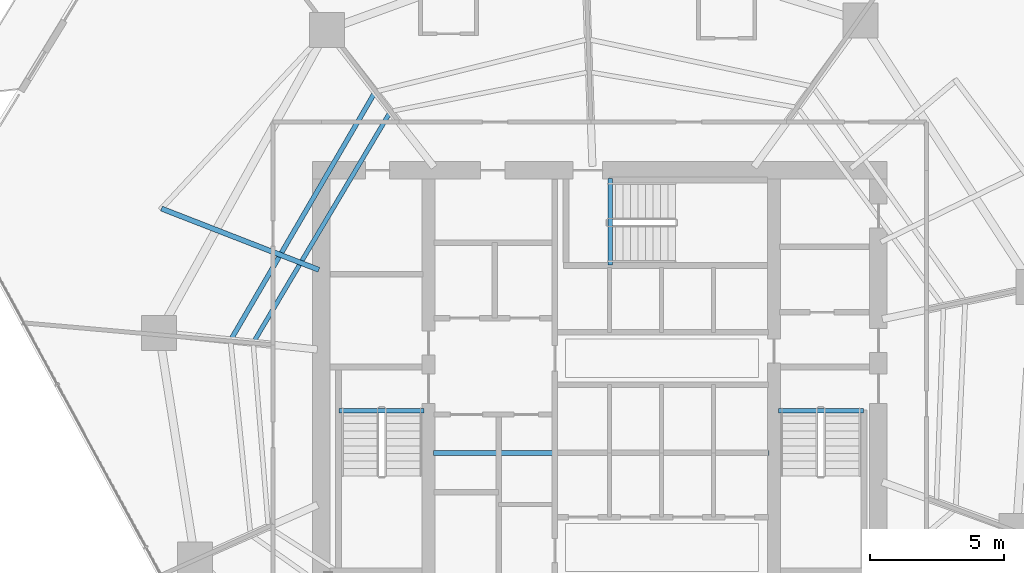
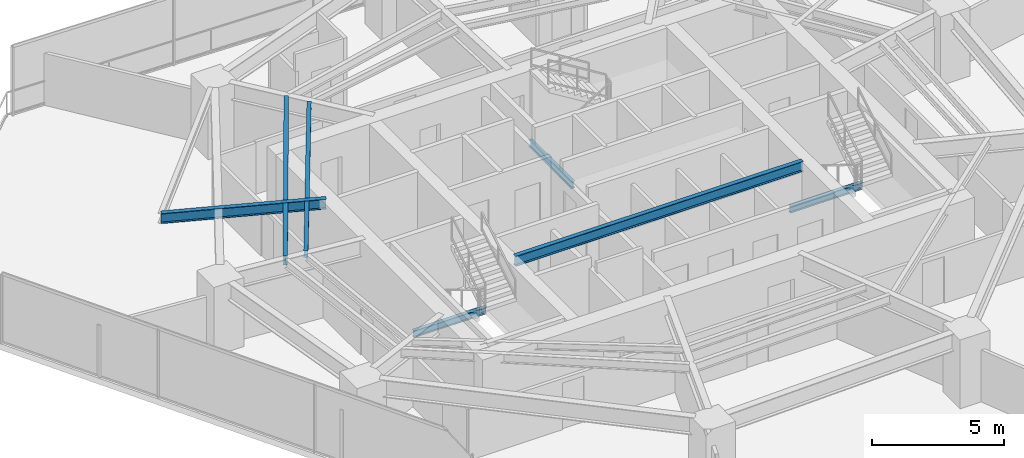
# One storey, part 10 of 30: 7 beams.
"""IFC4 building model written with IfcOpenShell, lengths in metres."""

from ifc_helpers import new_model, si_unit, direction, frame, origin, origin_2d, place, context, subcontext, project, spatial, i_section, extrude, material, material_profile, profile_set, type_object, element, save


model = new_model("IFC4")

# Units and contexts
model_context = context("Model", 3, precision=1e-05, world=origin(), true_north=direction((0.0, 1.0)))
body_context = subcontext(model_context, "Body", "Model", "MODEL_VIEW")
ifc_project = project(units=[si_unit("LENGTHUNIT", "METRE"), si_unit("AREAUNIT", "SQUARE_METRE"), si_unit("VOLUMEUNIT", "CUBIC_METRE"), si_unit("PLANEANGLEUNIT", "RADIAN"), si_unit("MASSUNIT", "GRAM", prefix="KILO")], contexts=[model_context])

# Site, building, storey
site_placement = place(None, origin())
site = spatial("IfcSite", under=ifc_project, at=site_placement, CompositionType="ELEMENT")
building_placement = place(site_placement, origin())
building = spatial("IfcBuilding", under=site, at=building_placement, Name="Qarnah Convention Tower", CompositionType="ELEMENT")
storey_placement = place(building_placement, frame((0.0, 0.0, 61.5)))
storey = spatial("IfcBuildingStorey", under=building, at=storey_placement, Name="L15", CompositionType="ELEMENT", Elevation=61.5)

# Beams
ifc_material = material(Name="Structural steel S355JR", Category="steel")
ifc_material_profile_1 = material_profile(ifc_material, i_section(OverallWidth=0.19189453125, OverallDepth=0.464111328125, WebThickness=0.010986328125, FlangeThickness=0.01806640625, at=origin_2d()), Name="W460X89")
ifc_profile_set_1 = profile_set([ifc_material_profile_1], Name="Structural steel S355JR")
beam_type_1 = type_object("IfcBeamType", Name="BM-CANT-W460A", PredefinedType="BEAM", material=ifc_profile_set_1)
beam_1_placement = place(storey_placement, frame((30.97998046875, 23.64990234375, 2.93798828125), z_axis=(1.0, 0.0, 0.0), x_axis=(0.0, 1.0, 0.0)))
element("IfcBeam", 1, at=beam_1_placement, inside=storey, type_object=beam_type_1, Name="L15 beam BM-L15-KC1", PredefinedType="BEAM", context=body_context, shape_type="SweptSolid", body=[
    extrude(i_section(OverallWidth=0.19189453125, OverallDepth=0.464111328125, WebThickness=0.010986328125, FlangeThickness=0.01806640625, at=origin_2d()), origin(), (0.0, 0.0, 1.0), 12.5400390625),
])
beam_2_placement = place(storey_placement, frame((26.70703125, 30.48388671875, 2.93798828125), z_axis=(-0.931897088326, 0.36272278226, 0.0), x_axis=(-0.36272278226, -0.931897088326, 0.0)))
element("IfcBeam", 2, at=beam_2_placement, inside=storey, type_object=beam_type_1, Name="L15 beam BM-L15-CNT-02-2", PredefinedType="BEAM", context=body_context, shape_type="SweptSolid", body=[
    extrude(i_section(OverallWidth=0.19189453125, OverallDepth=0.464111328125, WebThickness=0.010986328125, FlangeThickness=0.01806640625, at=origin_2d()), origin(), (0.0, 0.0, 1.0), 6.305419921875),
])
ifc_material_profile_2 = material_profile(ifc_material, i_section(OverallWidth=0.166015625, OverallDepth=0.31201171875, WebThickness=0.007080078125, FlangeThickness=0.010986328125, at=origin_2d()), Name="W310X45")
ifc_profile_set_2 = profile_set([ifc_material_profile_2], Name="Structural steel S355JR")
beam_type_2 = type_object("IfcBeamType", Name="BM-JST-W310", PredefinedType="JOIST", material=ifc_profile_set_2)
for number, where, z_axis, x_axis, name in (
    (3, (27.4599609375, 25.217041015625, -0.156005859375), (1.0, 0.0, 0.0), (0.0, 1.0, 0.0), "L15 stair landing trimmer beam BM-L15-ST1-TRM"),
    (4, (43.860107421875, 25.217041015625, -0.156005859375), (1.0, 0.0, 0.0), (0.0, 1.0, 0.0), "L15 stair landing trimmer beam BM-L15-ST2-TRM"),
):
    element("IfcBeam", number, at=place(storey_placement, frame(where, z_axis=z_axis, x_axis=x_axis)), inside=storey, type_object=beam_type_2, Name=name, PredefinedType="BEAM", context=body_context, shape_type="SweptSolid", body=[
        extrude(i_section(OverallWidth=0.166015625, OverallDepth=0.31201171875, WebThickness=0.007080078125, FlangeThickness=0.010986328125, at=origin_2d()), origin(), (0.0, 0.0, 1.0), 3.179931640625),
    ])
beam_3_placement = place(storey_placement, frame((37.5830078125, 30.659912109375, -0.156005859375), z_axis=(0.0, 1.0, 0.0), x_axis=(-1.0, 0.0, 0.0)))
element("IfcBeam", 5, at=beam_3_placement, inside=storey, type_object=beam_type_2, Name="L15 stair landing trimmer beam BM-L15-ST3-TRM", PredefinedType="BEAM", context=body_context, shape_type="SweptSolid", body=[
    extrude(i_section(OverallWidth=0.166015625, OverallDepth=0.31201171875, WebThickness=0.007080078125, FlangeThickness=0.010986328125, at=origin_2d()), origin(), (0.0, 0.0, 1.0), 3.239990234375),
])
beam_4_placement = place(storey_placement, frame((29.340087890625, 36.324951171875, 3.013916015625), z_axis=(-0.510529038741, -0.859860512294, 0.0), x_axis=(0.859860512294, -0.510529038741, 0.0)))
element("IfcBeam", 6, at=beam_4_placement, inside=storey, type_object=beam_type_2, Name="L15 joist BM-L15-IJST-04", PredefinedType="JOIST", context=body_context, shape_type="SweptSolid", body=[
    extrude(i_section(OverallWidth=0.166015625, OverallDepth=0.31201171875, WebThickness=0.007080078125, FlangeThickness=0.010986328125, at=origin_2d()), origin(), (0.0, 0.0, 1.0), 9.870361328125),
])
ifc_material_profile_3 = material_profile(ifc_material, i_section(OverallWidth=0.177978515625, OverallDepth=0.407958984375, WebThickness=0.008056640625, FlangeThickness=0.012939453125, at=origin_2d()), Name="W410X60")
ifc_profile_set_3 = profile_set([ifc_material_profile_3], Name="Structural steel S355JR")
beam_type_3 = type_object("IfcBeamType", Name="BM-JST-W410", PredefinedType="JOIST", material=ifc_profile_set_3)
beam_5_placement = place(storey_placement, frame((28.76806640625, 37.05810546875, 2.966064453125), z_axis=(-0.503182646142, -0.864180088073, 0.0), x_axis=(0.864180088073, -0.503182646142, 0.0)))
element("IfcBeam", 7, at=beam_5_placement, inside=storey, type_object=beam_type_3, Name="L15 joist BM-L15-SJST-04", PredefinedType="JOIST", context=body_context, shape_type="SweptSolid", body=[
    extrude(i_section(OverallWidth=0.177978515625, OverallDepth=0.407958984375, WebThickness=0.008056640625, FlangeThickness=0.012939453125, at=origin_2d()), origin(), (0.0, 0.0, 1.0), 10.565185546875),
])

save(model, "model.ifc")
